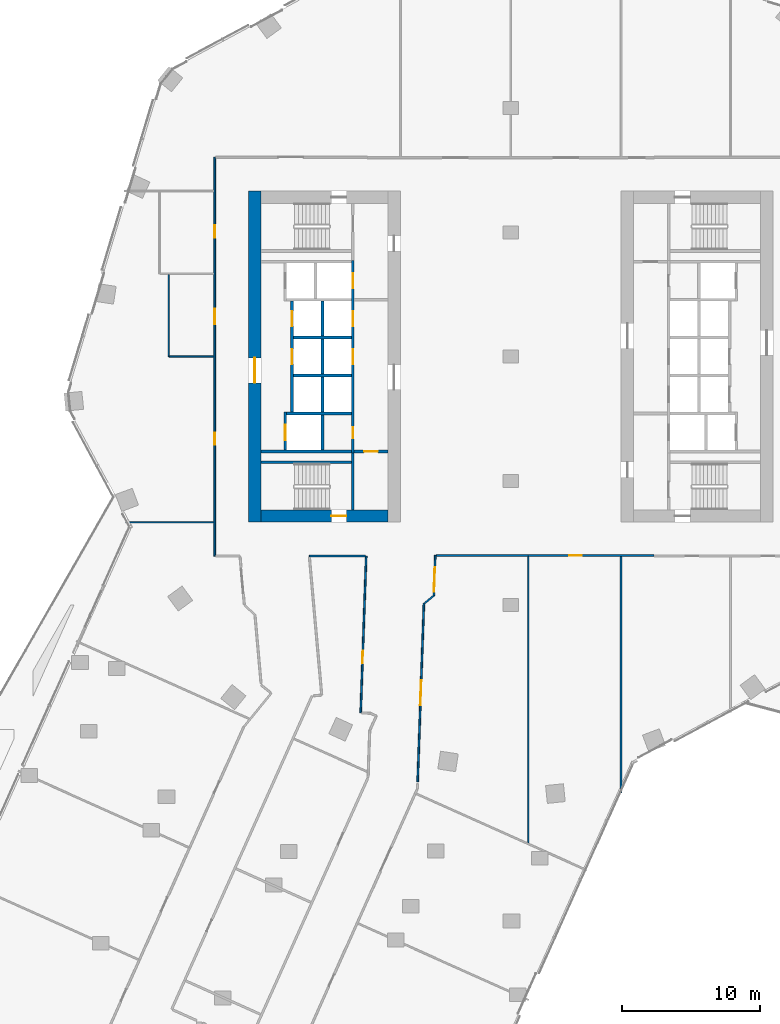
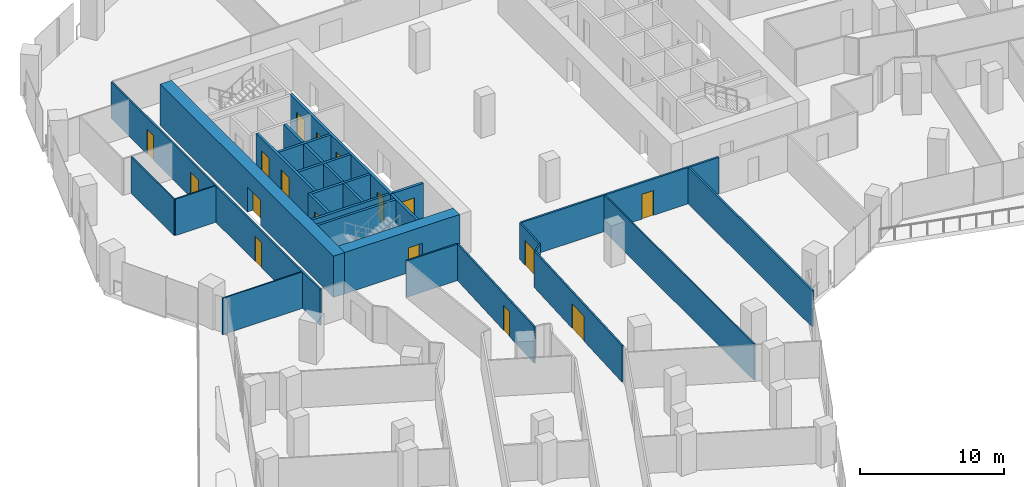
# One storey, part 23 of 32: 28 walls, 17 doors, 17 openings.
"""IFC4 building model written with IfcOpenShell, lengths in metres."""

from ifc_helpers import new_model, si_unit, direction, frame, frame_2d, origin, place, context, subcontext, project, spatial, rectangle, extrude, material, layer, layer_set, type_object, element, fill, save


model = new_model("IFC4")

# Units and contexts
model_context = context("Model", 3, precision=1e-05, world=origin(), true_north=direction((0.0, 1.0)))
body_context = subcontext(model_context, "Body", "Model", "MODEL_VIEW")
ifc_project = project(units=[si_unit("LENGTHUNIT", "METRE"), si_unit("AREAUNIT", "SQUARE_METRE"), si_unit("VOLUMEUNIT", "CUBIC_METRE"), si_unit("PLANEANGLEUNIT", "RADIAN"), si_unit("MASSUNIT", "GRAM", prefix="KILO")], contexts=[model_context])

# Site, building, storey
site_placement = place(None, origin())
site = spatial("IfcSite", under=ifc_project, at=site_placement, CompositionType="ELEMENT")
building_placement = place(site_placement, origin())
building = spatial("IfcBuilding", under=site, at=building_placement, Name="Orlundy Tower", CompositionType="ELEMENT")
storey_placement = place(building_placement, frame((0.0, 0.0, 123.699951171875)))
storey = spatial("IfcBuildingStorey", under=building, at=storey_placement, Name="L31", CompositionType="ELEMENT", Elevation=123.699951171875)

# Wall, opening, door
ifc_material_1 = material(Name="Concrete C80/95", Category="concrete")
ifc_layer_1 = layer(ifc_material_1, 0.89990234375)
ifc_layer_set_1 = layer_set([ifc_layer_1], Name="CORE WALL 900 C80/95")
wall_type_1 = type_object("IfcWallType", Name="CORE WALL 900 C80/95", PredefinedType="SHEAR", material=ifc_layer_set_1)
wall_1_placement = place(storey_placement, frame((-18.10009765625, -11.550048828125, 0.0), z_axis=(0.0, 0.0, 1.0), x_axis=(1.0, 0.0, 0.0)))
wall_1 = element("IfcWall", 1, at=wall_1_placement, inside=storey, type_object=wall_type_1, Name="Core wall W-S L31", PredefinedType="SHEAR", context=body_context, shape_type="SweptSolid", body=[
    extrude(rectangle(XDim=9.2001953125, YDim=0.89990234375, at=frame_2d((4.60009765625, 0.0))), origin(), (0.0, 0.0, 1.0), 3.5),
])
opening_1_placement = place(wall_1_placement, frame((5.10009765625, 0.0, 0.0)))
opening_1 = element("IfcOpeningElement", 2, at=opening_1_placement, cuts=wall_1, Name="Opening 24013", PredefinedType="OPENING", context=body_context, shape_type="SweptSolid", body=[
    extrude(rectangle(XDim=1.10009765625, YDim=2.10009765625, at=frame_2d((0.550048828125, 1.050048828125))), frame((0.0, 0.4599609375, 0.0), z_axis=(0.0, -1.0, 0.0), x_axis=(1.0, 0.0, 0.0)), (0.0, 0.0, 1.0), 0.919921875),
])
ifc_material_2 = material(Name="Steel door set", Category="steel")
door_type_1 = type_object("IfcDoorType", Name="Stair Door 1100x2100", OperationType="SINGLE_SWING_LEFT", PredefinedType="DOOR", material=ifc_material_2)
door_1_placement = place(opening_1_placement, origin())
door_1 = element("IfcDoor", 3, at=door_1_placement, inside=storey, type_object=door_type_1, Name="Stair door 24013", OperationType="SINGLE_SWING_RIGHT", OverallHeight=2.10009765625, OverallWidth=1.10009765625, PredefinedType="DOOR", context=body_context, shape_type="SweptSolid", body=[
    extrude(rectangle(XDim=1.10009765625, YDim=2.10009765625, at=frame_2d((0.550048828125, 1.050048828125))), frame((0.0, 0.02490234375, 0.0), z_axis=(0.0, -1.0, 0.0), x_axis=(1.0, 0.0, 0.0)), (0.0, 0.0, 1.0), 0.050048828125),
])
fill(opening_1, door_1)

wall_2_placement = place(storey_placement, frame((-18.550048828125, -12.0, 0.0), z_axis=(0.0, 0.0, 1.0), x_axis=(0.0, 1.0, 0.0)))
wall_2 = element("IfcWall", 4, at=wall_2_placement, inside=storey, type_object=wall_type_1, Name="Core wall W-W L31", PredefinedType="SHEAR", context=body_context, shape_type="SweptSolid", body=[
    extrude(rectangle(XDim=24.0, YDim=0.89990234375, at=frame_2d((12.0, 0.0))), origin(), (0.0, 0.0, 1.0), 3.5),
])
opening_2_placement = place(wall_2_placement, frame((10.10009765625, 0.0, 0.0)))
opening_2 = element("IfcOpeningElement", 5, at=opening_2_placement, cuts=wall_2, Name="Opening 24010", PredefinedType="OPENING", context=body_context, shape_type="SweptSolid", body=[
    extrude(rectangle(XDim=1.800048828125, YDim=2.10009765625, at=frame_2d((0.89990234375, 1.050048828125))), frame((0.0, 0.4599609375, 0.0), z_axis=(0.0, -1.0, 0.0), x_axis=(1.0, 0.0, 0.0)), (0.0, 0.0, 1.0), 0.919921875),
])
ifc_material_3 = material(Name="Timber door set", Category="wood")
door_type_2 = type_object("IfcDoorType", Name="Lobby Door 1800x2100", OperationType="DOUBLE_DOOR_DOUBLE_SWING", PredefinedType="DOOR", material=ifc_material_3)
door_2_placement = place(opening_2_placement, origin())
door_2 = element("IfcDoor", 6, at=door_2_placement, inside=storey, type_object=door_type_2, Name="Lift lobby door 24010", OperationType="SINGLE_SWING_LEFT", OverallHeight=2.10009765625, OverallWidth=1.800048828125, PredefinedType="DOOR", context=body_context, shape_type="SweptSolid", body=[
    extrude(rectangle(XDim=1.800048828125, YDim=2.10009765625, at=frame_2d((0.89990234375, 1.050048828125))), frame((0.0, 0.02490234375, 0.0), z_axis=(0.0, -1.0, 0.0), x_axis=(1.0, 0.0, 0.0)), (0.0, 0.0, 1.0), 0.050048828125),
])
fill(opening_2, door_2)

# Walls
ifc_material_4 = material(Name="Gypsum board partition")
ifc_layer_2 = layer(ifc_material_4, 0.10009765625)
ifc_layer_set_2 = layer_set([ifc_layer_2], Name="Floor partition 100")
wall_type_2 = type_object("IfcWallType", Name="Floor partition 100", PredefinedType="PARTITIONING", material=ifc_layer_set_2)
wall_3_placement = place(storey_placement, frame((-27.89697265625, -12.0, 0.0), z_axis=(0.0, 0.0, 1.0), x_axis=(1.0, 0.0, 0.0)))
element("IfcWall", 7, at=wall_3_placement, inside=storey, type_object=wall_type_2, Name="wall-int-L31-040", PredefinedType="PARTITIONING", context=body_context, shape_type="SweptSolid", body=[
    extrude(rectangle(XDim=6.385009765625, YDim=0.10009765625, at=frame_2d((3.1923828125, 0.0))), origin(), (0.0, 0.0, 1.0), 3.080078125),
])
wall_4_placement = place(storey_placement, frame((-24.73095703125, 0.0009765625, 0.0), z_axis=(0.0, 0.0, 1.0), x_axis=(1.0, 0.0, 0.0)))
element("IfcWall", 8, at=wall_4_placement, inside=storey, type_object=wall_type_2, Name="wall-int-L31-041", PredefinedType="PARTITIONING", context=body_context, shape_type="SweptSolid", body=[
    extrude(rectangle(XDim=3.218994140625, YDim=0.10009765625, at=frame_2d((1.609375, 0.0))), origin(), (0.0, 0.0, 1.0), 3.080078125),
])
wall_5_placement = place(storey_placement, frame((1.26611328125, -35.22900390625, 0.0), z_axis=(0.0, 0.0, 1.0), x_axis=(0.0, 1.0, 0.0)))
element("IfcWall", 9, at=wall_5_placement, inside=storey, type_object=wall_type_2, Name="wall-int-L31-094", PredefinedType="PARTITIONING", context=body_context, shape_type="SweptSolid", body=[
    extrude(rectangle(XDim=20.7529296875, YDim=0.10009765625, at=frame_2d((10.37646484375, 0.0))), origin(), (0.0, 0.0, 1.0), 3.080078125),
])
wall_6_placement = place(storey_placement, frame((-24.781982421875, 0.001953125, 0.0), z_axis=(0.0, 0.0, 1.0), x_axis=(0.0, 1.0, 0.0)))
element("IfcWall", 10, at=wall_6_placement, inside=storey, type_object=wall_type_2, Name="wall-int-L31-098", PredefinedType="PARTITIONING", context=body_context, shape_type="SweptSolid", body=[
    extrude(rectangle(XDim=5.948974609375, YDim=0.10009765625, at=frame_2d((2.974609375, 0.0))), origin(), (0.0, 0.0, 1.0), 3.080078125),
])
ifc_material_5 = material(Name="Gypsum board partition, double layer")
ifc_layer_3 = layer(ifc_material_5, 0.125)
ifc_layer_set_3 = layer_set([ifc_layer_3], Name="Floor partition 125")
wall_type_3 = type_object("IfcWallType", Name="Floor partition 125", PredefinedType="PARTITIONING", material=ifc_layer_set_3)
wall_7_placement = place(storey_placement, frame((-6.22802734375, -17.863037109375, 0.0), z_axis=(0.0, 0.0, 1.0), x_axis=(0.766096721588, 0.642725301488, 0.0)))
element("IfcWall", 11, at=wall_7_placement, inside=storey, type_object=wall_type_3, Name="wall-int-L31-034", PredefinedType="PARTITIONING", context=body_context, shape_type="SweptSolid", body=[
    extrude(rectangle(XDim=0.85888671875, YDim=0.125, at=frame_2d((0.429443359375, 0.0))), origin(), (0.0, 0.0, 1.0), 3.080078125),
])
wall_8_placement = place(storey_placement, frame((-14.594970703125, -14.450927734375, 0.0), z_axis=(0.0, 0.0, 1.0), x_axis=(1.0, 0.0, 0.0)))
element("IfcWall", 12, at=wall_8_placement, inside=storey, type_object=wall_type_3, Name="wall-int-L31-037", PredefinedType="PARTITIONING", context=body_context, shape_type="SweptSolid", body=[
    extrude(rectangle(XDim=4.05908203125, YDim=0.125, at=frame_2d((2.029541015625, 0.0))), origin(), (0.0, 0.0, 1.0), 3.080078125),
])

# Wall, opening, door
wall_9_placement = place(storey_placement, frame((-5.467041015625, -14.40087890625, 0.0), z_axis=(0.0, 0.0, 1.0), x_axis=(-0.035380519418, -0.999373913431, 0.0)))
wall_9 = element("IfcWall", 13, at=wall_9_placement, inside=storey, type_object=wall_type_3, Name="wall-int-L31-083", PredefinedType="PARTITIONING", context=body_context, shape_type="SweptSolid", body=[
    extrude(rectangle(XDim=2.911865234375, YDim=0.125, at=frame_2d((1.4560546875, 0.0))), origin(), (0.0, 0.0, 1.0), 3.080078125),
])
opening_3_placement = place(wall_9_placement, frame((0.85009765625, 0.0, 0.0)))
opening_3 = element("IfcOpeningElement", 14, at=opening_3_placement, cuts=wall_9, Name="Opening 24124", PredefinedType="OPENING", context=body_context, shape_type="SweptSolid", body=[
    extrude(rectangle(XDim=1.800048828125, YDim=2.10009765625, at=frame_2d((0.89990234375, 1.050048828125))), frame((0.0, 0.072509765625, 0.0), z_axis=(0.0, -1.0, 0.0), x_axis=(1.0, 0.0, 0.0)), (0.0, 0.0, 1.0), 0.14501953125),
])
ifc_material_6 = material(Name="Timber door leaf", Category="wood")
door_type_3 = type_object("IfcDoorType", Name="Floor door double 1800 FD30S", OperationType="NOTDEFINED", PredefinedType="DOOR", material=ifc_material_6)
door_3_placement = place(opening_3_placement, origin())
door_3 = element("IfcDoor", 15, at=door_3_placement, inside=storey, type_object=door_type_3, Name="Door 24124", OperationType="DOUBLE_DOOR_SINGLE_SWING", OverallHeight=2.10009765625, OverallWidth=1.800048828125, PredefinedType="DOOR", context=body_context, shape_type="SweptSolid", body=[
    extrude(rectangle(XDim=1.800048828125, YDim=2.10009765625, at=frame_2d((0.89990234375, 1.050048828125))), frame((0.0, 0.02490234375, 0.0), z_axis=(0.0, -1.0, 0.0), x_axis=(1.0, 0.0, 0.0)), (0.0, 0.0, 1.0), 0.050048828125),
])
fill(opening_3, door_3)

wall_10_placement = place(storey_placement, frame((-6.2900390625, -17.861083984375, 0.0), z_axis=(0.0, 0.0, 1.0), x_axis=(-0.035124913382, -0.999382929842, 0.0)))
wall_10 = element("IfcWall", 16, at=wall_10_placement, inside=storey, type_object=wall_type_3, Name="wall-int-L31-084", PredefinedType="PARTITIONING", context=body_context, shape_type="SweptSolid", body=[
    extrude(rectangle(XDim=12.9560546875, YDim=0.125, at=frame_2d((6.47802734375, 0.0))), origin(), (0.0, 0.0, 1.0), 3.080078125),
])
opening_4_placement = place(wall_10_placement, frame((5.60009765625, 0.0, 0.0)))
opening_4 = element("IfcOpeningElement", 17, at=opening_4_placement, cuts=wall_10, Name="Opening 24123", PredefinedType="OPENING", context=body_context, shape_type="SweptSolid", body=[
    extrude(rectangle(XDim=1.800048828125, YDim=2.10009765625, at=frame_2d((0.89990234375, 1.050048828125))), frame((0.0, 0.072509765625, 0.0), z_axis=(0.0, -1.0, 0.0), x_axis=(1.0, 0.0, 0.0)), (0.0, 0.0, 1.0), 0.14501953125),
])
door_4_placement = place(opening_4_placement, origin())
door_4 = element("IfcDoor", 18, at=door_4_placement, inside=storey, type_object=door_type_3, Name="Door 24123", OperationType="DOUBLE_DOOR_SINGLE_SWING", OverallHeight=2.10009765625, OverallWidth=1.800048828125, PredefinedType="DOOR", context=body_context, shape_type="SweptSolid", body=[
    extrude(rectangle(XDim=1.800048828125, YDim=2.10009765625, at=frame_2d((0.89990234375, 1.050048828125))), frame((0.0, 0.02490234375, 0.0), z_axis=(0.0, -1.0, 0.0), x_axis=(1.0, 0.0, 0.0)), (0.0, 0.0, 1.0), 0.050048828125),
])
fill(opening_4, door_4)

wall_11_placement = place(storey_placement, frame((-10.873046875, -25.81298828125, 0.0), z_axis=(0.0, 0.0, 1.0), x_axis=(0.035198976063, 0.999380324043, 0.0)))
wall_11 = element("IfcWall", 19, at=wall_11_placement, inside=storey, type_object=wall_type_3, Name="wall-int-L31-086", PredefinedType="PARTITIONING", context=body_context, shape_type="SweptSolid", body=[
    extrude(rectangle(XDim=11.3681640625, YDim=0.125, at=frame_2d((5.68408203125, 0.0))), origin(), (0.0, 0.0, 1.0), 3.080078125),
])
opening_5_placement = place(wall_11_placement, frame((3.60009765625, 0.0, 0.0)))
opening_5 = element("IfcOpeningElement", 20, at=opening_5_placement, cuts=wall_11, Name="Opening 24122", PredefinedType="OPENING", context=body_context, shape_type="SweptSolid", body=[
    extrude(rectangle(XDim=0.89990234375, YDim=2.10009765625, at=frame_2d((0.449951171875, 1.050048828125))), frame((0.0, 0.072509765625, 0.0), z_axis=(0.0, -1.0, 0.0), x_axis=(1.0, 0.0, 0.0)), (0.0, 0.0, 1.0), 0.14501953125),
])
ifc_material_7 = material(Name="Timber door leaf", Category="wood")
door_type_4 = type_object("IfcDoorType", Name="Floor door single 900 FD30S", OperationType="NOTDEFINED", PredefinedType="DOOR", material=ifc_material_7)
door_5_placement = place(opening_5_placement, origin())
door_5 = element("IfcDoor", 21, at=door_5_placement, inside=storey, type_object=door_type_4, Name="Door 24122", OperationType="SINGLE_SWING_LEFT", OverallHeight=2.10009765625, OverallWidth=0.89990234375, PredefinedType="DOOR", context=body_context, shape_type="SweptSolid", body=[
    extrude(rectangle(XDim=0.89990234375, YDim=2.10009765625, at=frame_2d((0.449951171875, 1.050048828125))), frame((0.0, 0.02490234375, 0.0), z_axis=(0.0, -1.0, 0.0), x_axis=(1.0, 0.0, 0.0)), (0.0, 0.0, 1.0), 0.050048828125),
])
fill(opening_5, door_5)

# Wall, openings, doors
wall_12_placement = place(storey_placement, frame((-21.449951171875, -14.450927734375, 0.0), z_axis=(0.0, 0.0, 1.0), x_axis=(0.0, 1.0, 0.0)))
wall_12 = element("IfcWall", 22, at=wall_12_placement, inside=storey, type_object=wall_type_3, Name="wall-int-L31-097", PredefinedType="PARTITIONING", context=body_context, shape_type="SweptSolid", body=[
    extrude(rectangle(XDim=28.90185546875, YDim=0.125, at=frame_2d((14.450927734375, 0.0))), origin(), (0.0, 0.0, 1.0), 3.080078125),
])
opening_6_placement = place(wall_12_placement, frame((8.051025390625, 0.0, 0.0)))
opening_6 = element("IfcOpeningElement", 23, at=opening_6_placement, cuts=wall_12, Name="Opening 24120", PredefinedType="OPENING", context=body_context, shape_type="SweptSolid", body=[
    extrude(rectangle(XDim=0.89990234375, YDim=2.10009765625, at=frame_2d((0.449951171875, 1.050048828125))), frame((0.0, 0.072509765625, 0.0), z_axis=(0.0, -1.0, 0.0), x_axis=(1.0, 0.0, 0.0)), (0.0, 0.0, 1.0), 0.14501953125),
])
opening_7_placement = place(wall_12_placement, frame((23.052001953125, 0.0, 0.0)))
opening_7 = element("IfcOpeningElement", 24, at=opening_7_placement, cuts=wall_12, Name="Opening 24135", PredefinedType="OPENING", context=body_context, shape_type="SweptSolid", body=[
    extrude(rectangle(XDim=0.89990234375, YDim=2.10009765625, at=frame_2d((0.449951171875, 1.050048828125))), frame((0.0, 0.072509765625, 0.0), z_axis=(0.0, -1.0, 0.0), x_axis=(1.0, 0.0, 0.0)), (0.0, 0.0, 1.0), 0.14501953125),
])
opening_8_placement = place(wall_12_placement, frame((16.802978515625, 0.0, 0.0)))
opening_8 = element("IfcOpeningElement", 25, at=opening_8_placement, cuts=wall_12, Name="Opening 24136", PredefinedType="OPENING", context=body_context, shape_type="SweptSolid", body=[
    extrude(rectangle(XDim=1.10009765625, YDim=2.10009765625, at=frame_2d((0.550048828125, 1.050048828125))), frame((0.0, 0.072509765625, 0.0), z_axis=(0.0, -1.0, 0.0), x_axis=(1.0, 0.0, 0.0)), (0.0, 0.0, 1.0), 0.14501953125),
])
door_6_placement = place(opening_6_placement, origin())
door_6 = element("IfcDoor", 26, at=door_6_placement, inside=storey, type_object=door_type_4, Name="Door 24120", OperationType="SINGLE_SWING_LEFT", OverallHeight=2.10009765625, OverallWidth=0.89990234375, PredefinedType="DOOR", context=body_context, shape_type="SweptSolid", body=[
    extrude(rectangle(XDim=0.89990234375, YDim=2.10009765625, at=frame_2d((0.449951171875, 1.050048828125))), frame((0.0, 0.02490234375, 0.0), z_axis=(0.0, -1.0, 0.0), x_axis=(1.0, 0.0, 0.0)), (0.0, 0.0, 1.0), 0.050048828125),
])
fill(opening_6, door_6)
door_7_placement = place(opening_7_placement, origin())
door_7 = element("IfcDoor", 27, at=door_7_placement, inside=storey, type_object=door_type_4, Name="Door 24135", OperationType="SINGLE_SWING_RIGHT", OverallHeight=2.10009765625, OverallWidth=0.89990234375, PredefinedType="DOOR", context=body_context, shape_type="SweptSolid", body=[
    extrude(rectangle(XDim=0.89990234375, YDim=2.10009765625, at=frame_2d((0.449951171875, 1.050048828125))), frame((0.0, 0.02490234375, 0.0), z_axis=(0.0, -1.0, 0.0), x_axis=(1.0, 0.0, 0.0)), (0.0, 0.0, 1.0), 0.050048828125),
])
fill(opening_7, door_7)
ifc_material_8 = material(Name="Timber door leaf", Category="wood")
door_type_5 = type_object("IfcDoorType", Name="Floor door xwide 1100 FD30S", OperationType="NOTDEFINED", PredefinedType="DOOR", material=ifc_material_8)
door_8_placement = place(opening_8_placement, origin())
door_8 = element("IfcDoor", 28, at=door_8_placement, inside=storey, type_object=door_type_5, Name="Door 24136", OperationType="SINGLE_SWING_RIGHT", OverallHeight=2.10009765625, OverallWidth=1.10009765625, PredefinedType="DOOR", context=body_context, shape_type="SweptSolid", body=[
    extrude(rectangle(XDim=1.10009765625, YDim=2.10009765625, at=frame_2d((0.550048828125, 1.050048828125))), frame((0.0, 0.02490234375, 0.0), z_axis=(0.0, -1.0, 0.0), x_axis=(1.0, 0.0, 0.0)), (0.0, 0.0, 1.0), 0.050048828125),
])
fill(opening_8, door_8)

# Wall, opening, door
ifc_material_9 = material(Name="Blockwork shaft wall", Category="masonry")
ifc_layer_4 = layer(ifc_material_9, 0.14990234375)
ifc_layer_set_4 = layer_set([ifc_layer_4], Name="Floor shaft wall 150")
wall_type_4 = type_object("IfcWallType", Name="Floor shaft wall 150", PredefinedType="PARTITIONING", material=ifc_layer_set_4)
wall_13_placement = place(storey_placement, frame((10.39111328125, -14.40087890625, 0.0), z_axis=(0.0, 0.0, 1.0), x_axis=(-1.0, 0.0, 0.0)))
wall_13 = element("IfcWall", 29, at=wall_13_placement, inside=storey, type_object=wall_type_4, Name="wall-int-L31-039", PredefinedType="PARTITIONING", context=body_context, shape_type="SweptSolid", body=[
    extrude(rectangle(XDim=15.795166015625, YDim=0.14990234375, at=frame_2d((7.8974609375, 0.0))), origin(), (0.0, 0.0, 1.0), 3.080078125),
])
opening_9_placement = place(wall_13_placement, frame((5.240966796875, 0.0, 0.0)))
opening_9 = element("IfcOpeningElement", 30, at=opening_9_placement, cuts=wall_13, Name="Opening 24125", PredefinedType="OPENING", context=body_context, shape_type="SweptSolid", body=[
    extrude(rectangle(XDim=0.89990234375, YDim=2.10009765625, at=frame_2d((0.449951171875, 1.050048828125))), frame((0.0, 0.0849609375, 0.0), z_axis=(0.0, -1.0, 0.0), x_axis=(1.0, 0.0, 0.0)), (0.0, 0.0, 1.0), 0.169921875),
])
ifc_material_10 = material(Name="Timber door leaf", Category="wood")
door_type_6 = type_object("IfcDoorType", Name="Floor door single 900 FD60", OperationType="NOTDEFINED", PredefinedType="DOOR", material=ifc_material_10)
door_9_placement = place(opening_9_placement, origin())
door_9 = element("IfcDoor", 31, at=door_9_placement, inside=storey, type_object=door_type_6, Name="Door 24125", OperationType="SINGLE_SWING_LEFT", OverallHeight=2.10009765625, OverallWidth=0.89990234375, PredefinedType="DOOR", context=body_context, shape_type="SweptSolid", body=[
    extrude(rectangle(XDim=0.89990234375, YDim=2.10009765625, at=frame_2d((0.449951171875, 1.050048828125))), frame((0.0, 0.02490234375, 0.0), z_axis=(0.0, -1.0, 0.0), x_axis=(1.0, 0.0, 0.0)), (0.0, 0.0, 1.0), 0.050048828125),
])
fill(opening_9, door_9)

# Walls
wall_14_placement = place(storey_placement, frame((8.0, -31.635009765625, 0.0), z_axis=(0.0, 0.0, 1.0), x_axis=(0.0, 1.0, 0.0)))
element("IfcWall", 32, at=wall_14_placement, inside=storey, type_object=wall_type_4, Name="wall-int-L31-092", PredefinedType="PARTITIONING", context=body_context, shape_type="SweptSolid", body=[
    extrude(rectangle(XDim=17.158935546875, YDim=0.14990234375, at=frame_2d((8.57958984375, 0.0))), origin(), (0.0, 0.0, 1.0), 3.080078125),
])
ifc_material_11 = material(Name="Concrete C40/50", Category="concrete")
ifc_layer_5 = layer(ifc_material_11, 0.199951171875)
ifc_layer_set_5 = layer_set([ifc_layer_5], Name="Load-bearing Shaft Wall 200")
wall_type_5 = type_object("IfcWallType", Name="Load-bearing Shaft Wall 200", PredefinedType="SOLIDWALL", material=ifc_layer_set_5)
wall_15_placement = place(storey_placement, frame((-11.43994140625, -11.10009765625, 0.0), z_axis=(0.0, 0.0, 1.0), x_axis=(0.0, 1.0, 0.0)))
element("IfcWall", 33, at=wall_15_placement, inside=storey, type_object=wall_type_5, Name="Shaft wall W24-stair-end-s", PredefinedType="SOLIDWALL", context=body_context, shape_type="SweptSolid", body=[
    extrude(rectangle(XDim=4.125, YDim=0.199951171875, at=frame_2d((2.0625, 0.0))), origin(), (0.0, 0.0, 1.0), 3.090087890625),
])
wall_16_placement = place(storey_placement, frame((-11.5400390625, -7.64990234375, 0.0), z_axis=(0.0, 0.0, 1.0), x_axis=(-1.0, 0.0, 0.0)))
element("IfcWall", 34, at=wall_16_placement, inside=storey, type_object=wall_type_5, Name="Shaft wall W24-stair-side-s", PredefinedType="SOLIDWALL", context=body_context, shape_type="SweptSolid", body=[
    extrude(rectangle(XDim=6.56005859375, YDim=0.199951171875, at=frame_2d((3.280029296875, 0.0))), origin(), (0.0, 0.0, 1.0), 3.090087890625),
])

# Wall, opening, door
ifc_material_12 = material(Name="Gypsum board partition on steel studs", Category="steel")
ifc_layer_6 = layer(ifc_material_12, 0.199951171875)
ifc_layer_set_6 = layer_set([ifc_layer_6], Name="Partition 200")
wall_type_6 = type_object("IfcWallType", Name="Partition 200", PredefinedType="PARTITIONING", material=ifc_layer_set_6)
wall_17_placement = place(storey_placement, frame((-8.89990234375, -6.875, 0.0), z_axis=(0.0, 0.0, 1.0), x_axis=(-1.0, 0.0, 0.0)))
wall_17 = element("IfcWall", 35, at=wall_17_placement, inside=storey, type_object=wall_type_6, Name="Partition wall W24-end-s", PredefinedType="PARTITIONING", context=body_context, shape_type="SweptSolid", body=[
    extrude(rectangle(XDim=2.440185546875, YDim=0.199951171875, at=frame_2d((1.22021484375, 0.0))), origin(), (0.0, 0.0, 1.0), 3.090087890625),
])
opening_10_placement = place(wall_17_placement, frame((0.719970703125, 0.0, 0.0)))
opening_10 = element("IfcOpeningElement", 36, at=opening_10_placement, cuts=wall_17, Name="Opening 24015", PredefinedType="OPENING", context=body_context, shape_type="SweptSolid", body=[
    extrude(rectangle(XDim=1.0, YDim=2.10009765625, at=frame_2d((0.5, 1.050048828125))), frame((0.0, 0.110107421875, 0.0), z_axis=(0.0, -1.0, 0.0), x_axis=(1.0, 0.0, 0.0)), (0.0, 0.0, 1.0), 0.22021484375),
])
ifc_material_13 = material(Name="Timber door set", Category="wood")
door_type_7 = type_object("IfcDoorType", Name="Accessible Door 1000x2100", OperationType="SINGLE_SWING_LEFT", PredefinedType="DOOR", material=ifc_material_13)
door_10_placement = place(opening_10_placement, origin())
door_10 = element("IfcDoor", 37, at=door_10_placement, inside=storey, type_object=door_type_7, Name="Accessible WC door 24015", OperationType="SINGLE_SWING_RIGHT", OverallHeight=2.10009765625, OverallWidth=1.0, PredefinedType="DOOR", context=body_context, shape_type="SweptSolid", body=[
    extrude(rectangle(XDim=1.0, YDim=2.10009765625, at=frame_2d((0.5, 1.050048828125))), frame((0.0, 0.02490234375, 0.0), z_axis=(0.0, -1.0, 0.0), x_axis=(1.0, 0.0, 0.0)), (0.0, 0.0, 1.0), 0.050048828125),
])
fill(opening_10, door_10)

# Walls
ifc_material_14 = material(Name="Fire-rated blockwork shaft wall", Category="masonry")
ifc_layer_7 = layer(ifc_material_14, 0.199951171875)
ifc_layer_set_7 = layer_set([ifc_layer_7], Name="Shaft Wall 200")
wall_type_7 = type_object("IfcWallType", Name="Shaft Wall 200", PredefinedType="SOLIDWALL", material=ifc_layer_set_7)
wall_18_placement = place(storey_placement, frame((-11.5400390625, -6.875, 0.0), z_axis=(0.0, 0.0, 1.0), x_axis=(-1.0, 0.0, 0.0)))
element("IfcWall", 38, at=wall_18_placement, inside=storey, type_object=wall_type_7, Name="Shaft wall W24-zone-s", PredefinedType="SOLIDWALL", context=body_context, shape_type="SweptSolid", body=[
    extrude(rectangle(XDim=6.56005859375, YDim=0.199951171875, at=frame_2d((3.280029296875, 0.0))), origin(), (0.0, 0.0, 1.0), 3.090087890625),
])
wall_19_placement = place(storey_placement, frame((-11.5400390625, -4.125, 0.0), z_axis=(0.0, 0.0, 1.0), x_axis=(-1.0, 0.0, 0.0)))
element("IfcWall", 39, at=wall_19_placement, inside=storey, type_object=wall_type_7, Name="Shaft wall W24-cross-4.125", PredefinedType="SOLIDWALL", context=body_context, shape_type="SweptSolid", body=[
    extrude(rectangle(XDim=4.699951171875, YDim=0.199951171875, at=frame_2d((2.35009765625, 0.0))), origin(), (0.0, 0.0, 1.0), 3.090087890625),
])
for number, where, z_axis, x_axis, name in (
    (40, (-11.5400390625, -1.375, 0.0), (0.0, 0.0, 1.0), (-1.0, 0.0, 0.0), "Shaft wall W24-cross-1.375"),
    (41, (-11.5400390625, 1.375, 0.0), (0.0, 0.0, 1.0), (-1.0, 0.0, 0.0), "Shaft wall W24-cross+1.375"),
):
    element("IfcWall", number, at=place(storey_placement, frame(where, z_axis=z_axis, x_axis=x_axis)), inside=storey, type_object=wall_type_7, Name=name, PredefinedType="SOLIDWALL", context=body_context, shape_type="SweptSolid", body=[
        extrude(rectangle(XDim=4.199951171875, YDim=0.199951171875, at=frame_2d((2.10009765625, 0.0))), origin(), (0.0, 0.0, 1.0), 3.090087890625),
    ])

# Wall, openings, doors
wall_20_placement = place(storey_placement, frame((-11.43994140625, -6.97509765625, 0.0), z_axis=(0.0, 0.0, 1.0), x_axis=(0.0, 1.0, 0.0)))
wall_20 = element("IfcWall", 42, at=wall_20_placement, inside=storey, type_object=wall_type_7, Name="Shaft wall W24-front-h", PredefinedType="SOLIDWALL", context=body_context, shape_type="SweptSolid", body=[
    extrude(rectangle(XDim=13.9501953125, YDim=0.199951171875, at=frame_2d((6.97509765625, 0.0))), origin(), (0.0, 0.0, 1.0), 3.090087890625),
])
opening_11_placement = place(wall_20_placement, frame((6.425048828125, 0.0, 0.0)))
opening_11 = element("IfcOpeningElement", 43, at=opening_11_placement, cuts=wall_20, Name="Opening 24002", PredefinedType="OPENING", context=body_context, shape_type="SweptSolid", body=[
    extrude(rectangle(XDim=1.10009765625, YDim=2.10009765625, at=frame_2d((0.550048828125, 1.050048828125))), frame((0.0, 0.110107421875, 0.0), z_axis=(0.0, -1.0, 0.0), x_axis=(1.0, 0.0, 0.0)), (0.0, 0.0, 1.0), 0.22021484375),
])
opening_12_placement = place(wall_20_placement, frame((9.175048828125, 0.0, 0.0)))
opening_12 = element("IfcOpeningElement", 44, at=opening_12_placement, cuts=wall_20, Name="Opening 24004", PredefinedType="OPENING", context=body_context, shape_type="SweptSolid", body=[
    extrude(rectangle(XDim=1.10009765625, YDim=2.10009765625, at=frame_2d((0.550048828125, 1.050048828125))), frame((0.0, 0.110107421875, 0.0), z_axis=(0.0, -1.0, 0.0), x_axis=(1.0, 0.0, 0.0)), (0.0, 0.0, 1.0), 0.22021484375),
])
opening_13_placement = place(wall_20_placement, frame((11.925048828125, 0.0, 0.0)))
opening_13 = element("IfcOpeningElement", 45, at=opening_13_placement, cuts=wall_20, Name="Opening 24006", PredefinedType="OPENING", context=body_context, shape_type="SweptSolid", body=[
    extrude(rectangle(XDim=1.10009765625, YDim=2.10009765625, at=frame_2d((0.550048828125, 1.050048828125))), frame((0.0, 0.110107421875, 0.0), z_axis=(0.0, -1.0, 0.0), x_axis=(1.0, 0.0, 0.0)), (0.0, 0.0, 1.0), 0.22021484375),
])
opening_14_placement = place(wall_20_placement, frame((1.074951171875, 0.0, 0.0)))
opening_14 = element("IfcOpeningElement", 46, at=opening_14_placement, cuts=wall_20, Name="Opening 24008", PredefinedType="OPENING", context=body_context, shape_type="SweptSolid", body=[
    extrude(rectangle(XDim=0.800048828125, YDim=2.10009765625, at=frame_2d((0.39990234375, 1.050048828125))), frame((0.0, 0.110107421875, 0.0), z_axis=(0.0, -1.0, 0.0), x_axis=(1.0, 0.0, 0.0)), (0.0, 0.0, 1.0), 0.22021484375),
])
ifc_material_15 = material(Name="Steel door set", Category="steel")
door_type_8 = type_object("IfcDoorType", Name="Landing Door 1100x2100", OperationType="DOUBLE_DOOR_SLIDING", PredefinedType="DOOR", material=ifc_material_15)
door_11_placement = place(opening_11_placement, origin())
door_11 = element("IfcDoor", 47, at=door_11_placement, inside=storey, type_object=door_type_8, Name="Lift landing door LP-05 24002", OperationType="DOUBLE_DOOR_SLIDING", OverallHeight=2.10009765625, OverallWidth=1.10009765625, PredefinedType="DOOR", context=body_context, shape_type="SweptSolid", body=[
    extrude(rectangle(XDim=1.10009765625, YDim=2.10009765625, at=frame_2d((0.550048828125, 1.050048828125))), frame((0.0, 0.02490234375, 0.0), z_axis=(0.0, -1.0, 0.0), x_axis=(1.0, 0.0, 0.0)), (0.0, 0.0, 1.0), 0.050048828125),
])
fill(opening_11, door_11)
door_12_placement = place(opening_12_placement, origin())
door_12 = element("IfcDoor", 48, at=door_12_placement, inside=storey, type_object=door_type_8, Name="Lift landing door LP-02 24004", OperationType="DOUBLE_DOOR_SLIDING", OverallHeight=2.10009765625, OverallWidth=1.10009765625, PredefinedType="DOOR", context=body_context, shape_type="SweptSolid", body=[
    extrude(rectangle(XDim=1.10009765625, YDim=2.10009765625, at=frame_2d((0.550048828125, 1.050048828125))), frame((0.0, 0.02490234375, 0.0), z_axis=(0.0, -1.0, 0.0), x_axis=(1.0, 0.0, 0.0)), (0.0, 0.0, 1.0), 0.050048828125),
])
fill(opening_12, door_12)
door_13_placement = place(opening_13_placement, origin())
door_13 = element("IfcDoor", 49, at=door_13_placement, inside=storey, type_object=door_type_8, Name="Lift landing door FL1 24006", OperationType="DOUBLE_DOOR_SLIDING", OverallHeight=2.10009765625, OverallWidth=1.10009765625, PredefinedType="DOOR", context=body_context, shape_type="SweptSolid", body=[
    extrude(rectangle(XDim=1.10009765625, YDim=2.10009765625, at=frame_2d((0.550048828125, 1.050048828125))), frame((0.0, 0.02490234375, 0.0), z_axis=(0.0, -1.0, 0.0), x_axis=(1.0, 0.0, 0.0)), (0.0, 0.0, 1.0), 0.050048828125),
])
fill(opening_13, door_13)
ifc_material_16 = material(Name="Timber door set", Category="wood")
door_type_9 = type_object("IfcDoorType", Name="Riser Door 800x2100", OperationType="SINGLE_SWING_LEFT", PredefinedType="DOOR", material=ifc_material_16)
door_14_placement = place(opening_14_placement, origin())
door_14 = element("IfcDoor", 50, at=door_14_placement, inside=storey, type_object=door_type_9, Name="Electrical Riser Room door 24008", OperationType="SINGLE_SWING_LEFT", OverallHeight=2.10009765625, OverallWidth=0.800048828125, PredefinedType="DOOR", context=body_context, shape_type="SweptSolid", body=[
    extrude(rectangle(XDim=0.800048828125, YDim=2.10009765625, at=frame_2d((0.39990234375, 1.050048828125))), frame((0.0, 0.02490234375, 0.0), z_axis=(0.0, -1.0, 0.0), x_axis=(1.0, 0.0, 0.0)), (0.0, 0.0, 1.0), 0.050048828125),
])
fill(opening_14, door_14)

# Walls
for number, where, z_axis, x_axis, name in (
    (51, (-13.639892578125, -6.77490234375, 0.0), (0.0, 0.0, 1.0), (0.0, 1.0, 0.0), "Shaft wall W24-mid-a"),
    (52, (-13.639892578125, -4.02490234375, 0.0), (0.0, 0.0, 1.0), (0.0, 1.0, 0.0), "Shaft wall W24-mid-a.1"),
    (53, (-13.639892578125, -1.27490234375, 0.0), (0.0, 0.0, 1.0), (0.0, 1.0, 0.0), "Shaft wall W24-mid-a.2"),
    (54, (-13.639892578125, 1.47509765625, 0.0), (0.0, 0.0, 1.0), (0.0, 1.0, 0.0), "Shaft wall W24-mid-a.3"),
):
    element("IfcWall", number, at=place(storey_placement, frame(where, z_axis=z_axis, x_axis=x_axis)), inside=storey, type_object=wall_type_7, Name=name, PredefinedType="SOLIDWALL", context=body_context, shape_type="SweptSolid", body=[
        extrude(rectangle(XDim=2.5498046875, YDim=0.199951171875, at=frame_2d((1.27490234375, 0.0))), origin(), (0.0, 0.0, 1.0), 3.090087890625),
    ])

# Wall, opening, door
wall_21_placement = place(storey_placement, frame((-16.340087890625, -6.77490234375, 0.0), z_axis=(0.0, 0.0, 1.0), x_axis=(0.0, 1.0, 0.0)))
wall_21 = element("IfcWall", 55, at=wall_21_placement, inside=storey, type_object=wall_type_7, Name="Shaft wall W24-front-o-a", PredefinedType="SOLIDWALL", context=body_context, shape_type="SweptSolid", body=[
    extrude(rectangle(XDim=2.75, YDim=0.199951171875, at=frame_2d((1.375, 0.0))), origin(), (0.0, 0.0, 1.0), 3.090087890625),
])
opening_15_placement = place(wall_21_placement, frame((0.72509765625, 0.0, 0.0)))
opening_15 = element("IfcOpeningElement", 56, at=opening_15_placement, cuts=wall_21, Name="Opening 24001", PredefinedType="OPENING", context=body_context, shape_type="SweptSolid", body=[
    extrude(rectangle(XDim=1.10009765625, YDim=2.10009765625, at=frame_2d((0.550048828125, 1.050048828125))), frame((0.0, 0.110107421875, 0.0), z_axis=(0.0, -1.0, 0.0), x_axis=(1.0, 0.0, 0.0)), (0.0, 0.0, 1.0), 0.22021484375),
])
door_15_placement = place(opening_15_placement, origin())
door_15 = element("IfcDoor", 57, at=door_15_placement, inside=storey, type_object=door_type_8, Name="Lift landing door LV-01 24001", OperationType="DOUBLE_DOOR_SLIDING", OverallHeight=2.10009765625, OverallWidth=1.10009765625, PredefinedType="DOOR", context=body_context, shape_type="SweptSolid", body=[
    extrude(rectangle(XDim=1.10009765625, YDim=2.10009765625, at=frame_2d((0.550048828125, 1.050048828125))), frame((0.0, 0.02490234375, 0.0), z_axis=(0.0, -1.0, 0.0), x_axis=(1.0, 0.0, 0.0)), (0.0, 0.0, 1.0), 0.050048828125),
])
fill(opening_15, door_15)

# Wall, openings, doors
wall_22_placement = place(storey_placement, frame((-15.840087890625, -4.02490234375, 0.0), z_axis=(0.0, 0.0, 1.0), x_axis=(0.0, 1.0, 0.0)))
wall_22 = element("IfcWall", 58, at=wall_22_placement, inside=storey, type_object=wall_type_7, Name="Shaft wall W24-front-o-b", PredefinedType="SOLIDWALL", context=body_context, shape_type="SweptSolid", body=[
    extrude(rectangle(XDim=8.0498046875, YDim=0.199951171875, at=frame_2d((4.02490234375, 0.0))), origin(), (0.0, 0.0, 1.0), 3.090087890625),
])
opening_16_placement = place(wall_22_placement, frame((3.47509765625, 0.0, 0.0)))
opening_16 = element("IfcOpeningElement", 59, at=opening_16_placement, cuts=wall_22, Name="Opening 24003", PredefinedType="OPENING", context=body_context, shape_type="SweptSolid", body=[
    extrude(rectangle(XDim=1.10009765625, YDim=2.10009765625, at=frame_2d((0.550048828125, 1.050048828125))), frame((0.0, 0.110107421875, 0.0), z_axis=(0.0, -1.0, 0.0), x_axis=(1.0, 0.0, 0.0)), (0.0, 0.0, 1.0), 0.22021484375),
])
opening_17_placement = place(wall_22_placement, frame((6.22509765625, 0.0, 0.0)))
opening_17 = element("IfcOpeningElement", 60, at=opening_17_placement, cuts=wall_22, Name="Opening 24005", PredefinedType="OPENING", context=body_context, shape_type="SweptSolid", body=[
    extrude(rectangle(XDim=1.10009765625, YDim=2.10009765625, at=frame_2d((0.550048828125, 1.050048828125))), frame((0.0, 0.110107421875, 0.0), z_axis=(0.0, -1.0, 0.0), x_axis=(1.0, 0.0, 0.0)), (0.0, 0.0, 1.0), 0.22021484375),
])
door_16_placement = place(opening_16_placement, origin())
door_16 = element("IfcDoor", 61, at=door_16_placement, inside=storey, type_object=door_type_8, Name="Lift landing door LP-01 24003", OperationType="DOUBLE_DOOR_SLIDING", OverallHeight=2.10009765625, OverallWidth=1.10009765625, PredefinedType="DOOR", context=body_context, shape_type="SweptSolid", body=[
    extrude(rectangle(XDim=1.10009765625, YDim=2.10009765625, at=frame_2d((0.550048828125, 1.050048828125))), frame((0.0, 0.02490234375, 0.0), z_axis=(0.0, -1.0, 0.0), x_axis=(1.0, 0.0, 0.0)), (0.0, 0.0, 1.0), 0.050048828125),
])
fill(opening_16, door_16)
door_17_placement = place(opening_17_placement, origin())
door_17 = element("IfcDoor", 62, at=door_17_placement, inside=storey, type_object=door_type_8, Name="Lift landing door LP-03 24005", OperationType="DOUBLE_DOOR_SLIDING", OverallHeight=2.10009765625, OverallWidth=1.10009765625, PredefinedType="DOOR", context=body_context, shape_type="SweptSolid", body=[
    extrude(rectangle(XDim=1.10009765625, YDim=2.10009765625, at=frame_2d((0.550048828125, 1.050048828125))), frame((0.0, 0.02490234375, 0.0), z_axis=(0.0, -1.0, 0.0), x_axis=(1.0, 0.0, 0.0)), (0.0, 0.0, 1.0), 0.050048828125),
])
fill(opening_17, door_17)

save(model, "model.ifc")
